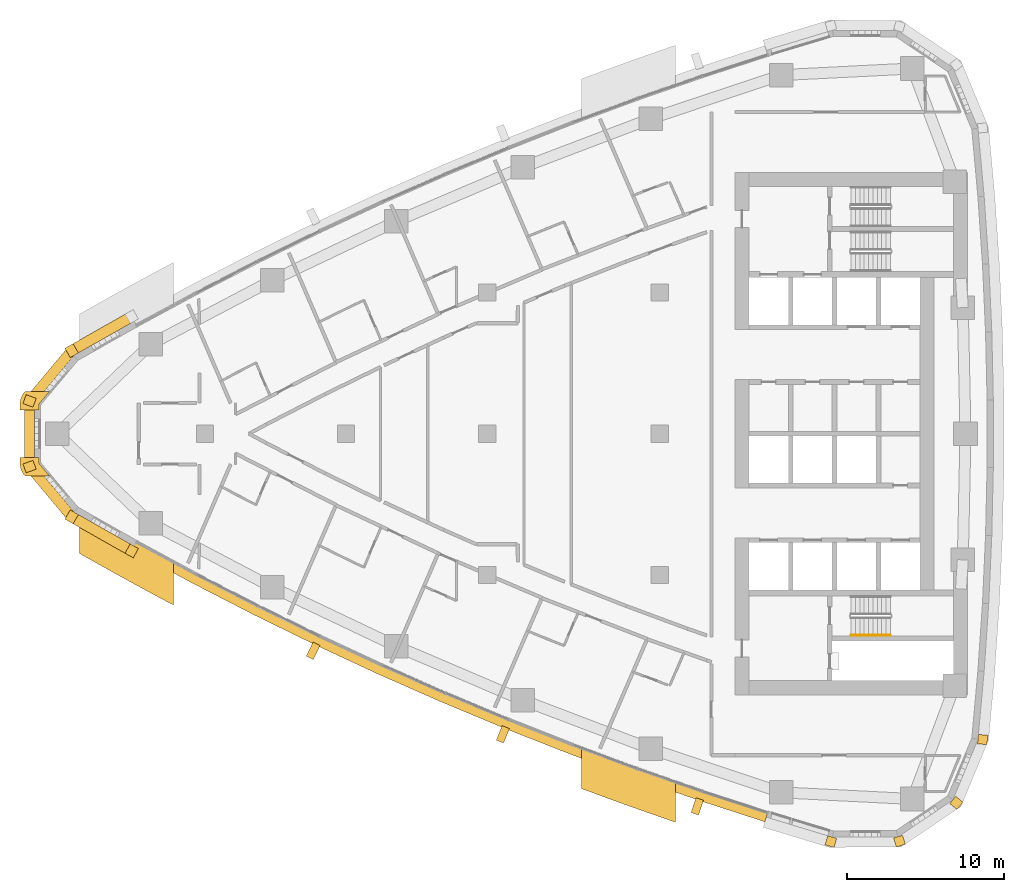
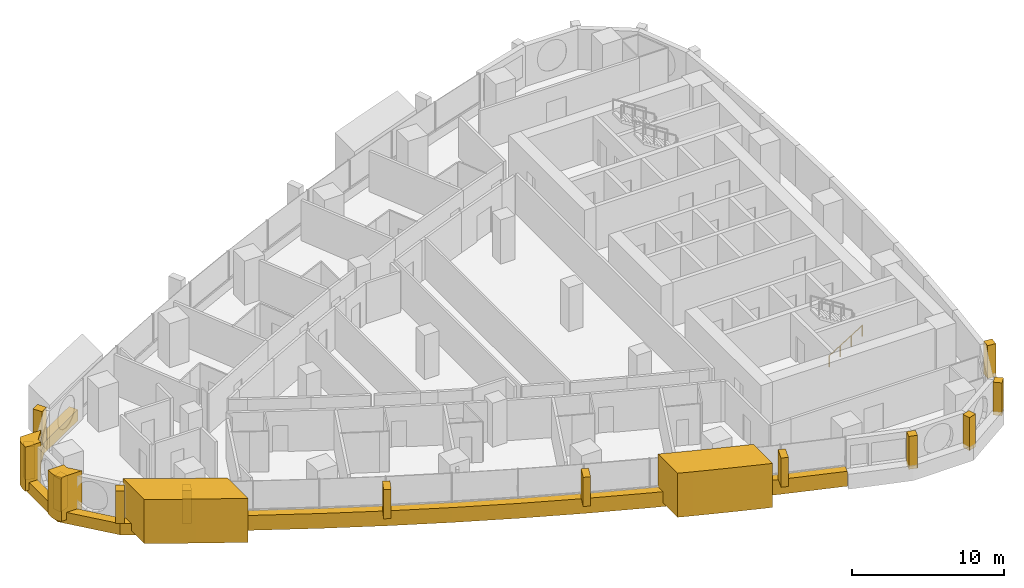
# One storey, part 14 of 17: 18 coverings, 1 railing.
"""IFC4 building model written with IfcOpenShell, lengths in metres."""

import ifcopenshell
import ifcopenshell.guid

model = None  # the IFC model being written
_history = None  # IfcOwnerHistory: only IFC2X3 demands one
_inside = {}  # id of a spatial element -> (the spatial element, [elements in it])
_under = {}  # id of a project, library or spatial element -> (it, [spatial elements below it])
_declared = {}  # id of a project -> (the project, [libraries it declares])
_typed = {}  # id of a type object -> (the type object, [elements of that type])
_made_of = {}  # id of a material, layer set ... -> (it, [elements and type objects made of it])


def new_model(schema):
    """Start an empty IFC model of exactly this schema.

    Asked for "IFC4X3", IfcOpenShell would pick the latest addendum, in which some entities
    have other attributes; the version numbers below select the first issue.
    IFC2X3 requires an IfcOwnerHistory on every rooted entity: one is made here for all.
    """
    global model, _history
    if schema == "IFC4X3":
        model = ifcopenshell.file(schema_version=(4, 3, 0, 0))
    else:
        model = ifcopenshell.file(schema=schema)
    _inside.clear()
    _under.clear()
    _declared.clear()
    _typed.clear()
    _made_of.clear()
    _history = None
    if model.schema == "IFC2X3":
        org = make("IfcOrganization", Name="unknown")
        user = make(
            "IfcPersonAndOrganization",
            ThePerson=make("IfcPerson", FamilyName="unknown"),
            TheOrganization=org,
        )
        app = make(
            "IfcApplication",
            ApplicationDeveloper=org,
            Version="unknown",
            ApplicationFullName="unknown",
            ApplicationIdentifier="unknown",
        )
        _history = make(
            "IfcOwnerHistory",
            OwningUser=user,
            OwningApplication=app,
            ChangeAction="ADDED",
            CreationDate=0,
        )
    return model


def make(cls, **values):
    """One entity of the class cls with the attributes given. An attribute that is None is left unset."""
    return model.create_entity(
        cls, **{name: value for name, value in values.items() if value is not None}
    )


def rooted(cls, **values):
    """An entity with a GlobalId (a new one), such as an element, a storey or a relation."""
    return make(cls, GlobalId=ifcopenshell.guid.new(), OwnerHistory=_history, **values)


def si_unit(unit_type, name, prefix=None):
    """IfcSIUnit, for example si_unit("LENGTHUNIT", "METRE", prefix="MILLI")."""
    return make("IfcSIUnit", UnitType=unit_type, Prefix=prefix, Name=name)


def assignment(units):
    """IfcUnitAssignment: the units of a project."""
    return None if units is None else make("IfcUnitAssignment", Units=units)


def point(xyz):
    """IfcCartesianPoint."""
    return None if xyz is None else make("IfcCartesianPoint", Coordinates=xyz)


def direction(xyz):
    """IfcDirection."""
    return None if xyz is None else make("IfcDirection", DirectionRatios=xyz)


def frame(location, z_axis=None, x_axis=None):
    """IfcAxis2Placement3D, a coordinate frame: its origin and axes. An axis left out is left unset."""
    return make(
        "IfcAxis2Placement3D",
        Location=point(location),
        Axis=direction(z_axis),
        RefDirection=direction(x_axis),
    )


def frame_2d(location, x_axis=None):
    """IfcAxis2Placement2D, a coordinate frame in the plane: its origin and x axis."""
    return make(
        "IfcAxis2Placement2D", Location=point(location), RefDirection=direction(x_axis)
    )


def origin():
    """The frame at (0, 0, 0) with its axes left unset."""
    return frame((0.0, 0.0, 0.0))


def origin_2d():
    """The frame at (0, 0) in the plane with its x axis left unset."""
    return frame_2d((0.0, 0.0))


def place(relative_to, where):
    """IfcLocalPlacement: puts the frame where relative to a parent placement (None: the world)."""
    return make(
        "IfcLocalPlacement", PlacementRelTo=relative_to, RelativePlacement=where
    )


def context(
    kind, dimensions, precision=None, world=None, true_north=None, identifier=None
):
    """IfcGeometricRepresentationContext, for example the 3D "Model" context."""
    return make(
        "IfcGeometricRepresentationContext",
        ContextIdentifier=identifier,
        ContextType=kind,
        CoordinateSpaceDimension=dimensions,
        Precision=precision,
        WorldCoordinateSystem=world,
        TrueNorth=true_north,
    )


def subcontext(parent, identifier, kind, view, scale=None):
    """IfcGeometricRepresentationSubContext, for example "Body" below "Model"."""
    return make(
        "IfcGeometricRepresentationSubContext",
        ContextIdentifier=identifier,
        ContextType=kind,
        ParentContext=parent,
        TargetScale=scale,
        TargetView=view,
    )


def project(units=None, contexts=None):
    """IfcProject with its units and contexts."""
    return rooted(
        "IfcProject",
        Name="project",
        RepresentationContexts=contexts,
        UnitsInContext=assignment(units),
    )


def spatial(cls, under=None, at=None, **own):
    """A site, building, storey or space (cls), placed at a placement, below another one or the project."""
    s = rooted(cls, ObjectPlacement=at, **own)
    if under is not None:
        _under.setdefault(under.id(), (under, []))[1].append(s)
    return s


def polyline(points):
    """IfcPolyline through the points."""
    return make("IfcPolyline", Points=[point(p) for p in points])


def profile(cls, at=None, kind="AREA", **sizes):
    """A parametric profile (cls). Its sizes go by their IFC names, for example OverallWidth=200.0."""
    return make(cls, ProfileType=kind, Position=at, **sizes)


def rectangle(**sizes):
    """IfcRectangleProfileDef."""
    return profile("IfcRectangleProfileDef", **sizes)


def circle(**sizes):
    """IfcCircleProfileDef."""
    return profile("IfcCircleProfileDef", **sizes)


def outline(outer, holes=None, kind="AREA"):
    """IfcArbitraryClosedProfileDef: a profile drawn as a closed curve; with holes, ...WithVoids."""
    if holes is None:
        return make("IfcArbitraryClosedProfileDef", ProfileType=kind, OuterCurve=outer)
    return make(
        "IfcArbitraryProfileDefWithVoids",
        ProfileType=kind,
        OuterCurve=outer,
        InnerCurves=holes,
    )


def extrude(swept, where, along, depth):
    """IfcExtrudedAreaSolid: the profile swept, set in the frame where, extruded along a direction by depth."""
    return make(
        "IfcExtrudedAreaSolid",
        SweptArea=swept,
        Position=where,
        ExtrudedDirection=direction(along),
        Depth=depth,
    )


def shape(context_of_items, identifier, shape_type, items):
    """IfcShapeRepresentation: the items that make up one representation, for example the "Body"."""
    return make(
        "IfcShapeRepresentation",
        ContextOfItems=context_of_items,
        RepresentationIdentifier=identifier,
        RepresentationType=shape_type,
        Items=items,
    )


def material(Name=None, Category=None):
    """IfcMaterial."""
    return make("IfcMaterial", Name=Name, Category=Category)


def layer(
    of_material, thickness, ventilated=None, Name=None, Category=None, Priority=None
):
    """IfcMaterialLayer: one layer of a wall or slab, of a material (None: an air gap)."""
    return make(
        "IfcMaterialLayer",
        Material=of_material,
        LayerThickness=thickness,
        IsVentilated=ventilated,
        Name=Name,
        Category=Category,
        Priority=Priority,
    )


def layer_set(layers, Name=None):
    """IfcMaterialLayerSet."""
    return make("IfcMaterialLayerSet", MaterialLayers=layers, LayerSetName=Name)


def made_of(thing, what):
    """Note that an element or type object is made of a material, layer set ...; save() writes the relation."""
    if what is not None:
        _made_of.setdefault(what.id(), (what, []))[1].append(thing)
    return thing


def type_object(cls, material=None, **own):
    """A type object (cls), such as IfcWallType, which elements share."""
    return made_of(rooted(cls, **own), material)


def element(
    cls,
    number,
    at=None,
    inside=None,
    cuts=None,
    type_object=None,
    material=None,
    context=None,
    identifier="Body",
    shape_type=None,
    held_by="IfcProductDefinitionShape",
    body=None,
    shapes=None,
    **own,
):
    """One element of the class cls, such as IfcWall. Its Tag is "e" and its number.

    at: its placement. inside: the storey or other place that contains it. cuts: it is an
    opening in that element (IfcRelVoidsElement). A single representation is given by context,
    identifier, shape_type and body (its items); several are given by shapes. held_by: the class
    of the entity that holds the representations. save() writes the other relations.
    """
    e = rooted(cls, Tag="e%d" % number, ObjectPlacement=at, **own)
    if body is not None:
        shapes = [shape(context, identifier, shape_type, body)]
    if shapes is not None:
        e.Representation = make(held_by, Representations=shapes)
    if inside is not None:
        _inside.setdefault(inside.id(), (inside, []))[1].append(e)
    if cuts is not None:
        rooted(
            "IfcRelVoidsElement", RelatingBuildingElement=cuts, RelatedOpeningElement=e
        )
    if type_object is not None:
        _typed.setdefault(type_object.id(), (type_object, []))[1].append(e)
    return made_of(e, material)


def aggregate(whole, parts):
    """IfcRelAggregates: a whole, such as a stair, and the parts it consists of."""
    return rooted("IfcRelAggregates", RelatingObject=whole, RelatedObjects=parts)


def save(model, path):
    """Write the relations noted so far, then the file.

    IfcRelAggregates (storeys below a building ...), IfcRelContainedInSpatialStructure (elements
    in a storey), IfcRelDefinesByType, IfcRelAssociatesMaterial and IfcRelDeclares: one each for
    every whole, place, type object, material and project.
    """
    for whole, parts in _under.values():
        aggregate(whole, parts)
    for where, things in _inside.values():
        rooted(
            "IfcRelContainedInSpatialStructure",
            RelatedElements=things,
            RelatingStructure=where,
        )
    for kind, things in _typed.values():
        rooted("IfcRelDefinesByType", RelatedObjects=things, RelatingType=kind)
    for what, things in _made_of.values():
        rooted("IfcRelAssociatesMaterial", RelatedObjects=things, RelatingMaterial=what)
    for by, libraries in _declared.values():
        rooted("IfcRelDeclares", RelatingContext=by, RelatedDefinitions=libraries)
    model.write(path)


model = new_model("IFC4")

# Units and contexts
model_context = context("Model", 3, precision=1e-05, world=origin(), true_north=direction((0.0, 1.0)))
body_context = subcontext(model_context, "Body", "Model", "MODEL_VIEW")
ifc_project = project(units=[si_unit("LENGTHUNIT", "METRE"), si_unit("AREAUNIT", "SQUARE_METRE"), si_unit("VOLUMEUNIT", "CUBIC_METRE"), si_unit("PLANEANGLEUNIT", "RADIAN"), si_unit("MASSUNIT", "GRAM", prefix="KILO")], contexts=[model_context])

# Site, building, storey
site_placement = place(None, origin())
site = spatial("IfcSite", under=ifc_project, at=site_placement, CompositionType="ELEMENT")
building_placement = place(site_placement, origin())
building = spatial("IfcBuilding", under=site, at=building_placement, Name="Ostrand Prow Hotel Tower", CompositionType="ELEMENT")
storey_placement = place(building_placement, frame((0.0, 0.0, 140.85009765625)))
storey = spatial("IfcBuildingStorey", under=building, at=storey_placement, Name="L34", CompositionType="ELEMENT", Elevation=140.85009765625)

# Coverings
ifc_material_1 = material(Name="Bronze anodised aluminium cladding", Category="aluminium")
ifc_layer_1 = layer(ifc_material_1, 0.60009765625)
ifc_layer_set_1 = layer_set([ifc_layer_1], Name="Bronze anodised aluminium cladding")
covering_type_1 = type_object("IfcCoveringType", Name="Bronze prow band 899x600", PredefinedType="CLADDING", material=ifc_layer_set_1)
covering_1_placement = place(storey_placement, frame((0.0, 0.0, -0.300048828125)))
element("IfcCovering", 1, at=covering_1_placement, inside=storey, type_object=covering_type_1, Name="Bronze prow band", PredefinedType="CLADDING", context=body_context, shape_type="SweptSolid", body=[
    extrude(outline(polyline([(11.16845703125, 7.766845703125), (7.335205078125, 5.594970703125), (4.5009765625, 2.208251953125), (4.5009765625, -2.208251953125), (7.335205078125, -5.594970703125), (11.16845703125, -7.766845703125), (11.497802734375, -7.171875), (7.676513671875, -5.006591796875), (5.14013671875, -1.97607421875), (5.14013671875, 1.97607421875), (7.676513671875, 5.006591796875), (11.497802734375, 7.171875), (11.16845703125, 7.766845703125)])), origin(), (0.0, 0.0, 1.0), 0.89990234375),
])
ifc_material_2 = material(Name="Bronze anodised aluminium cladding", Category="aluminium")
ifc_layer_2 = layer(ifc_material_2, 0.60009765625)
ifc_layer_set_2 = layer_set([ifc_layer_2], Name="Bronze anodised aluminium cladding")
covering_type_2 = type_object("IfcCoveringType", Name="Bronze spandrel band 1200x600", PredefinedType="CLADDING", material=ifc_layer_set_2)
covering_2_placement = place(storey_placement, frame((0.0, 0.0, -0.300048828125)))
element("IfcCovering", 2, at=covering_2_placement, inside=storey, type_object=covering_type_2, Name="Spandrel band S1", PredefinedType="CLADDING", context=body_context, shape_type="SweptSolid", body=[
    extrude(outline(polyline([(11.3466796875, -7.445068359375), (15.21630859375, -9.535888671875), (19.126953125, -11.548828125), (23.077392578125, -13.482666015625), (27.06591796875, -15.336669921875), (31.091064453125, -17.110107421875), (35.15087890625, -18.80224609375), (39.243896484375, -20.41259765625), (43.368408203125, -21.9404296875), (47.522705078125, -23.385009765625), (51.705322265625, -24.74560546875), (51.88525390625, -24.17333984375), (47.714111328125, -22.81640625), (43.571044921875, -21.375732421875), (39.457763671875, -19.85205078125), (35.376220703125, -18.24609375), (31.327392578125, -16.55859375), (27.3134765625, -14.7900390625), (23.335693359375, -12.941162109375), (19.396240234375, -11.0126953125), (15.49609375, -9.00537109375), (11.63720703125, -6.920166015625), (11.3466796875, -7.445068359375)])), origin(), (0.0, 0.0, 1.0), 1.199951171875),
])
ifc_material_3 = material(Name="Limestone cladding", Category="masonry")
ifc_layer_3 = layer(ifc_material_3, 5.0)
ifc_layer_set_3 = layer_set([ifc_layer_3], Name="Limestone cladding")
covering_type_3 = type_object("IfcCoveringType", Name="Portal jamb pilaster limestone", PredefinedType="CLADDING", material=ifc_layer_set_3)
covering_3_placement = place(storey_placement, origin())
element("IfcCovering", 3, at=covering_3_placement, inside=storey, type_object=covering_type_3, Name="Portal jamb SA L34", PredefinedType="CLADDING", context=body_context, shape_type="SweptSolid", body=[
    extrude(outline(polyline([(8.0, -4.861572265625), (8.0, -7.62939453125), (9.0, -8.1962890625), (10.0, -8.75634765625), (11.0, -9.3095703125), (12.0, -9.856201171875), (13.0, -10.39599609375), (14.0, -10.92919921875), (14.0, -8.208740234375), (13.0, -7.66796875), (12.0, -7.12060546875), (11.0, -6.566162109375), (10.0, -6.0048828125), (9.0, -5.436767578125), (8.0, -4.861572265625)])), origin(), (0.0, 0.0, 1.0), 3.5498046875),
])
covering_4_placement = place(storey_placement, origin())
element("IfcCovering", 4, at=covering_4_placement, inside=storey, type_object=covering_type_3, Name="Portal jamb SB L34", PredefinedType="CLADDING", context=body_context, shape_type="SweptSolid", body=[
    extrude(outline(polyline([(40.0, -20.058349609375), (40.0, -22.622802734375), (41.0, -22.994140625), (42.0, -23.360107421875), (43.0, -23.720458984375), (44.0, -24.075439453125), (45.0, -24.425048828125), (46.0, -24.769287109375), (46.0, -22.231689453125), (45.0, -21.883056640625), (44.0, -21.529296875), (43.0, -21.169921875), (42.0, -20.804931640625), (41.0, -20.434326171875), (40.0, -20.058349609375)])), origin(), (0.0, 0.0, 1.0), 3.5498046875),
])
ifc_material_4 = material(Name="Limestone cladding", Category="masonry")
ifc_layer_4 = layer(ifc_material_4, 0.5)
ifc_layer_set_4 = layer_set([ifc_layer_4], Name="Limestone cladding")
covering_type_4 = type_object("IfcCoveringType", Name="Precast stone fin 500x900", PredefinedType="CLADDING", material=ifc_layer_set_4)
covering_5_placement = place(storey_placement, frame((23.12060546875, -13.392333984375, 0.89990234375), z_axis=(0.0, 0.0, 1.0), x_axis=(-0.430634686673, -0.902526324621, 0.0)))
element("IfcCovering", 5, at=covering_5_placement, inside=storey, type_object=covering_type_4, Name="Stone fin S 4", PredefinedType="CLADDING", context=body_context, shape_type="SweptSolid", body=[
    extrude(rectangle(XDim=1.0, YDim=0.5, at=frame_2d((0.5, 0.0))), origin(), (0.0, 0.0, 1.0), 2.35009765625),
])
covering_6_placement = place(storey_placement, frame((35.188232421875, -18.709716796875, 0.89990234375), z_axis=(0.0, 0.0, 1.0), x_axis=(-0.375302653349, -0.926902324082, 0.0)))
element("IfcCovering", 6, at=covering_6_placement, inside=storey, type_object=covering_type_4, Name="Stone fin S 7", PredefinedType="CLADDING", context=body_context, shape_type="SweptSolid", body=[
    extrude(rectangle(XDim=0.999755859375, YDim=0.5, at=frame_2d((0.5, 0.0))), origin(), (0.0, 0.0, 1.0), 2.35009765625),
])
covering_7_placement = place(storey_placement, frame((47.5546875, -23.290283203125, 0.89990234375), z_axis=(0.0, 0.0, 1.0), x_axis=(-0.319082696504, -0.947726876685, 0.0)))
element("IfcCovering", 7, at=covering_7_placement, inside=storey, type_object=covering_type_4, Name="Stone fin S 10", PredefinedType="CLADDING", context=body_context, shape_type="SweptSolid", body=[
    extrude(rectangle(XDim=1.0, YDim=0.5, at=frame_2d((0.5, 0.0))), origin(), (0.0, 0.0, 1.0), 2.35009765625),
])
ifc_material_5 = material(Name="Limestone cladding", Category="masonry")
ifc_layer_5 = layer(ifc_material_5, 0.60009765625)
ifc_layer_set_5 = layer_set([ifc_layer_5], Name="Limestone cladding")
covering_type_5 = type_object("IfcCoveringType", Name="Precast stone prow rib 600x600", PredefinedType="CLADDING", material=ifc_layer_set_5)
covering_8_placement = place(storey_placement, frame((7.676513671875, 5.006591796875, 0.599853515625), z_axis=(0.0, 0.0, 1.0), x_axis=(-0.501771803437, 0.865000033107, 0.0)))
element("IfcCovering", 8, at=covering_8_placement, inside=storey, type_object=covering_type_5, Name="Stone prow rib 2", PredefinedType="CLADDING", context=body_context, shape_type="SweptSolid", body=[
    extrude(rectangle(XDim=0.68017578125, YDim=0.60009765625, at=frame_2d((0.340087890625, 0.0))), origin(), (0.0, 0.0, 1.0), 2.650146484375),
])
for number, where, z_axis, x_axis, name in (
    (9, (5.14013671875, 1.97607421875, 0.599853515625), (0.0, 0.0, 1.0), (-0.939908674991, 0.341425954896, 0.0), "Stone prow rib 3"),
    (10, (5.14013671875, -1.97607421875, 0.599853515625), (0.0, 0.0, 1.0), (-0.939908674991, -0.341425954896, 0.0), "Stone prow rib 4"),
):
    element("IfcCovering", number, at=place(storey_placement, frame(where, z_axis=z_axis, x_axis=x_axis)), inside=storey, type_object=covering_type_5, Name=name, PredefinedType="CLADDING", context=body_context, shape_type="SweptSolid", body=[
        extrude(rectangle(XDim=0.679931640625, YDim=0.60009765625, at=frame_2d((0.33984375, 0.0))), origin(), (0.0, 0.0, 1.0), 2.650146484375),
    ])
covering_9_placement = place(storey_placement, frame((7.676513671875, -5.006591796875, 0.599853515625), z_axis=(0.0, 0.0, 1.0), x_axis=(-0.501771803437, -0.865000033107, 0.0)))
element("IfcCovering", 11, at=covering_9_placement, inside=storey, type_object=covering_type_5, Name="Stone prow rib 5", PredefinedType="CLADDING", context=body_context, shape_type="SweptSolid", body=[
    extrude(rectangle(XDim=0.68017578125, YDim=0.60009765625, at=frame_2d((0.340087890625, 0.0))), origin(), (0.0, 0.0, 1.0), 2.650146484375),
])
covering_10_placement = place(storey_placement, frame((11.497802734375, -7.171875, 0.599853515625), z_axis=(0.0, 0.0, 1.0), x_axis=(-0.484301161624, -0.874901357211, 0.0)))
element("IfcCovering", 12, at=covering_10_placement, inside=storey, type_object=covering_type_5, Name="Stone prow rib 6", PredefinedType="CLADDING", context=body_context, shape_type="SweptSolid", body=[
    extrude(rectangle(XDim=0.679931640625, YDim=0.60009765625, at=frame_2d((0.33984375, 0.0))), origin(), (0.0, 0.0, 1.0), 2.650146484375),
])
covering_11_placement = place(storey_placement, frame((56.001953125, -25.722412109375, 0.599853515625), z_axis=(0.0, 0.0, 1.0), x_axis=(-0.280734221166, -0.959785547436, 0.0)))
element("IfcCovering", 13, at=covering_11_placement, inside=storey, type_object=covering_type_5, Name="Stone corner rib 2a", PredefinedType="CLADDING", context=body_context, shape_type="SweptSolid", body=[
    extrude(rectangle(XDim=0.60009765625, YDim=0.60009765625, at=frame_2d((0.300048828125, 0.0))), origin(), (0.0, 0.0, 1.0), 2.650146484375),
])
for number, where, z_axis, x_axis, name in (
    (14, (60.201171875, -25.689697265625, 0.599853515625), (0.0, 0.0, 1.0), (0.295515682615, -0.955337888565, 0.0), "Stone corner rib 3a"),
    (15, (63.68505859375, -23.34521484375, 0.599853515625), (0.0, 0.0, 1.0), (0.773830327772, -0.633392945825, 0.0), "Stone corner rib 4a"),
):
    element("IfcCovering", number, at=place(storey_placement, frame(where, z_axis=z_axis, x_axis=x_axis)), inside=storey, type_object=covering_type_5, Name=name, PredefinedType="CLADDING", context=body_context, shape_type="SweptSolid", body=[
        extrude(rectangle(XDim=0.599853515625, YDim=0.60009765625, at=frame_2d((0.2998046875, 0.0))), origin(), (0.0, 0.0, 1.0), 2.650146484375),
    ])
covering_12_placement = place(storey_placement, frame((65.296875, -19.467529296875, 0.599853515625), z_axis=(0.0, 0.0, 1.0), x_axis=(0.994854249607, -0.101316445052, 0.0)))
element("IfcCovering", 16, at=covering_12_placement, inside=storey, type_object=covering_type_5, Name="Stone corner rib 4b", PredefinedType="CLADDING", context=body_context, shape_type="SweptSolid", body=[
    extrude(rectangle(XDim=0.60009765625, YDim=0.60009765625, at=frame_2d((0.300048828125, 0.0))), origin(), (0.0, 0.0, 1.0), 2.650146484375),
])
ifc_material_6 = material(Name="Limestone cladding", Category="masonry")
ifc_layer_6 = layer(ifc_material_6, 3.0)
ifc_layer_set_6 = layer_set([ifc_layer_6], Name="Limestone cladding")
covering_type_6 = type_object("IfcCoveringType", Name="Prow nose pier limestone", PredefinedType="CLADDING", material=ifc_layer_set_6)
covering_13_placement = place(storey_placement, origin())
element("IfcCovering", 17, at=covering_13_placement, inside=storey, type_object=covering_type_6, Name="Prow spine fin N L34", PredefinedType="CLADDING", context=body_context, shape_type="SweptSolid", body=[
    extrude(outline(polyline([(4.210693359375, 1.877685546875), (4.210693359375, 1.5), (5.41064453125, 1.5), (5.41064453125, 1.877685546875), (6.098876953125, 2.699951171875), (4.533935546875, 2.699951171875), (4.490478515625, 2.64794921875), (4.41845703125, 2.552490234375), (4.356201171875, 2.45068359375), (4.304443359375, 2.343017578125), (4.263916015625, 2.230712890625), (4.234375, 2.114990234375), (4.216552734375, 1.9970703125), (4.210693359375, 1.877685546875)])), origin(), (0.0, 0.0, 1.0), 3.5498046875),
])
covering_14_placement = place(storey_placement, origin())
element("IfcCovering", 18, at=covering_14_placement, inside=storey, type_object=covering_type_6, Name="Prow spine fin S L34", PredefinedType="CLADDING", context=body_context, shape_type="SweptSolid", body=[
    extrude(outline(polyline([(4.490478515625, -2.64794921875), (4.533935546875, -2.699951171875), (6.098876953125, -2.699951171875), (5.41064453125, -1.877685546875), (5.41064453125, -1.5), (4.210693359375, -1.5), (4.210693359375, -1.877685546875), (4.216552734375, -1.9970703125), (4.234375, -2.114990234375), (4.263916015625, -2.230712890625), (4.304443359375, -2.343017578125), (4.356201171875, -2.45068359375), (4.41845703125, -2.552490234375), (4.490478515625, -2.64794921875)])), origin(), (0.0, 0.0, 1.0), 3.5498046875),
])

# Railing
ifc_material_7 = material(Name="Stainless steel", Category="steel")
railing_type = type_object("IfcRailingType", Name="Stair handrail 900", PredefinedType="HANDRAIL", material=ifc_material_7)
railing_placement = place(storey_placement, frame((57.199951171875, -12.85009765625, 0.177490234375)))
element("IfcRailing", 19, at=railing_placement, inside=storey, type_object=railing_type, Name="L34 ST2C stair handrail 1", PredefinedType="HANDRAIL", context=body_context, shape_type="SweptSolid", body=[
    extrude(circle(Radius=0.02392578125, at=origin_2d()), frame((0.0, 0.0, 0.8759765625), z_axis=(0.84460694969, 0.0, 0.535386869969), x_axis=(0.0, 1.0, 0.0)), (0.0, 0.0, 1.0), 2.983642578125),
    extrude(circle(Radius=0.02099609375, at=origin_2d()), origin(), (0.0, 0.0, 1.0), 0.851806640625),
    extrude(circle(Radius=0.02099609375, at=origin_2d()), frame((0.840087890625, 0.0, 0.532470703125)), (0.0, 0.0, 1.0), 0.851806640625),
    extrude(circle(Radius=0.02099609375, at=origin_2d()), frame((1.679931640625, 0.0, 1.06494140625)), (0.0, 0.0, 1.0), 0.851806640625),
    extrude(circle(Radius=0.02099609375, at=origin_2d()), frame((2.52001953125, 0.0, 1.597412109375)), (0.0, 0.0, 1.0), 0.851806640625),
])

save(model, "model.ifc")
